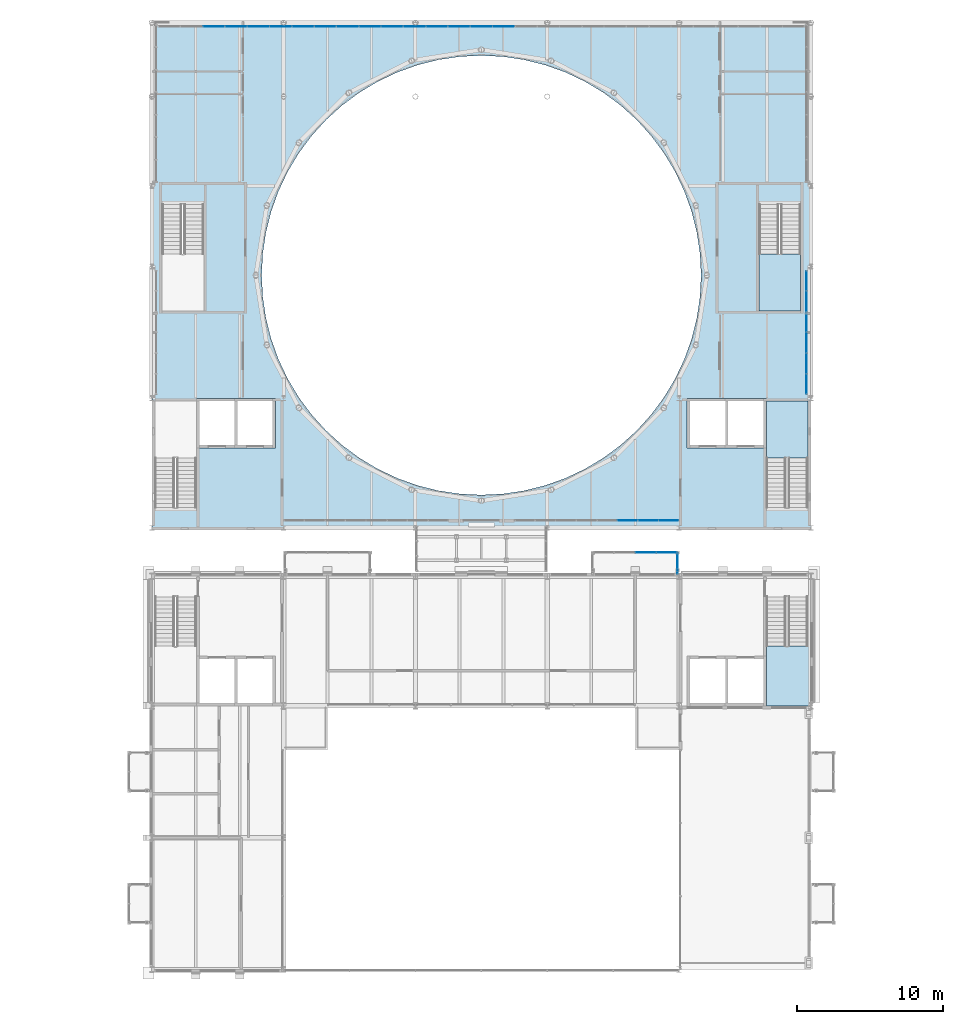
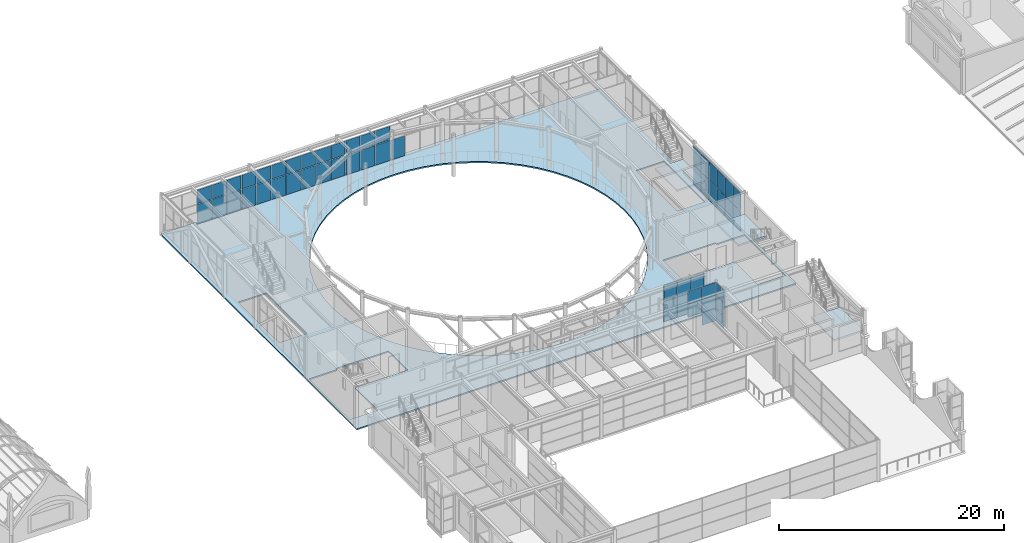
# One storey, part 62 of 111: 53 plates, 4 slabs, 8 elements without a shape of their own.
"""IFC4 building model written with IfcOpenShell, lengths in metres."""

from ifc_helpers import new_model, si_unit, direction, frame, origin, origin_2d, place, context, subcontext, project, spatial, polyline, rectangle, outline, extrude, material, layer, layer_set, type_object, element, aggregate, save


model = new_model("IFC4")

# Units and contexts
model_context = context("Model", 3, precision=1e-05, world=origin(), true_north=direction((0.0, 1.0)))
body_context = subcontext(model_context, "Body", "Model", "MODEL_VIEW")
ifc_project = project(units=[si_unit("LENGTHUNIT", "METRE"), si_unit("AREAUNIT", "SQUARE_METRE"), si_unit("VOLUMEUNIT", "CUBIC_METRE"), si_unit("PLANEANGLEUNIT", "RADIAN"), si_unit("MASSUNIT", "GRAM", prefix="KILO")], contexts=[model_context])

# Site, building, storey
site_placement = place(None, origin())
site = spatial("IfcSite", under=ifc_project, at=site_placement, CompositionType="ELEMENT")
building_placement = place(site_placement, origin())
building = spatial("IfcBuilding", under=site, at=building_placement, Name="Kallimachos Central Library", CompositionType="ELEMENT")
storey_placement = place(building_placement, frame((0.0, 0.0, 14.39990234375)))
storey = spatial("IfcBuildingStorey", under=building, at=storey_placement, Name="L03", CompositionType="ELEMENT", Elevation=14.39990234375)

# Slab
ifc_material_1 = material(Name="Composite slab C30/37 on steel deck", Category="concrete")
ifc_layer_1 = layer(ifc_material_1, 0.14990234375)
ifc_layer_set_1 = layer_set([ifc_layer_1], Name="Composite floor slab 150")
slab_type_1 = type_object("IfcSlabType", Name="Composite floor slab 150", PredefinedType="FLOOR", material=ifc_layer_set_1)
slab_1_placement = place(storey_placement, frame((0.0, 0.0, -0.14990234375)))
element("IfcSlab", 1, at=slab_1_placement, inside=storey, type_object=slab_type_1, Name="V1-SLB-L03-001", PredefinedType="FLOOR", context=body_context, shape_type="SweptSolid", body=[
    extrude(outline(polyline([(65.5, 121.800048828125), (110.5, 121.800048828125), (110.5, 87.0), (65.5, 87.0), (65.5, 121.800048828125)]), holes=[polyline([(65.699951171875, 95.800048828125), (65.699951171875, 88.553955078125), (68.550048828125, 88.553955078125), (68.550048828125, 92.60009765625), (73.949951171875, 92.60009765625), (73.949951171875, 96.0), (68.550048828125, 96.0), (68.550048828125, 95.800048828125), (65.699951171875, 95.800048828125)]), polyline([(107.449951171875, 95.800048828125), (107.449951171875, 96.0), (102.050048828125, 96.0), (102.050048828125, 92.60009765625), (107.449951171875, 92.60009765625), (107.449951171875, 88.553955078125), (110.300048828125, 88.553955078125), (110.300048828125, 95.800048828125), (107.449951171875, 95.800048828125)]), polyline([(102.7119140625, 101.4736328125), (102.927734375, 102.9296875), (103.0, 104.39990234375), (102.927734375, 105.870361328125), (102.7119140625, 107.326416015625), (102.35400390625, 108.75439453125), (101.858154296875, 110.140380859375), (101.228759765625, 111.470947265625), (100.471923828125, 112.733642578125), (99.59521484375, 113.916015625), (98.606689453125, 115.006591796875), (97.515869140625, 115.9951171875), (96.33349609375, 116.8720703125), (95.071044921875, 117.62890625), (93.740234375, 118.25830078125), (92.354248046875, 118.754150390625), (90.926513671875, 119.11181640625), (89.47021484375, 119.327880859375), (88.0, 119.39990234375), (86.52978515625, 119.327880859375), (85.073486328125, 119.11181640625), (83.645751953125, 118.754150390625), (82.259765625, 118.25830078125), (80.928955078125, 117.62890625), (79.66650390625, 116.8720703125), (78.484130859375, 115.9951171875), (77.393310546875, 115.006591796875), (76.40478515625, 113.916015625), (75.528076171875, 112.733642578125), (74.771240234375, 111.470947265625), (74.141845703125, 110.140380859375), (73.64599609375, 108.75439453125), (73.2880859375, 107.326416015625), (73.072265625, 105.870361328125), (73.0, 104.39990234375), (73.072265625, 102.9296875), (73.2880859375, 101.4736328125), (73.64599609375, 100.045654296875), (74.141845703125, 98.65966796875), (74.771240234375, 97.3291015625), (75.528076171875, 96.06640625), (76.40478515625, 94.884033203125), (77.393310546875, 93.79345703125), (78.484130859375, 92.8046875), (79.66650390625, 91.927978515625), (80.928955078125, 91.171142578125), (82.259765625, 90.541748046875), (83.645751953125, 90.0458984375), (85.073486328125, 89.688232421875), (86.52978515625, 89.47216796875), (88.0, 89.39990234375), (89.47021484375, 89.47216796875), (90.926513671875, 89.688232421875), (92.354248046875, 90.0458984375), (93.740234375, 90.541748046875), (95.071044921875, 91.171142578125), (96.33349609375, 91.927978515625), (97.515869140625, 92.8046875), (98.606689453125, 93.79345703125), (99.59521484375, 94.884033203125), (100.471923828125, 96.06640625), (101.228759765625, 97.3291015625), (101.858154296875, 98.65966796875), (102.35400390625, 100.045654296875), (102.7119140625, 101.4736328125)]), polyline([(66.199951171875, 101.97509765625), (69.050048828125, 101.97509765625), (69.050048828125, 109.220947265625), (66.199951171875, 109.220947265625), (66.199951171875, 101.97509765625)]), polyline([(106.949951171875, 101.97509765625), (109.800048828125, 101.97509765625), (109.800048828125, 109.220947265625), (106.949951171875, 109.220947265625), (106.949951171875, 101.97509765625)])]), origin(), (0.0, 0.0, 1.0), 0.14990234375),
])

# Curtain wall, plates
ifc_material_2 = material(Name="Anodised aluminium and laminated glass", Category="aluminium")
ifc_layer_2 = layer(ifc_material_2, 0.159912109375)
ifc_layer_set_2 = layer_set([ifc_layer_2], Name="Glass box curtain wall")
curtain_wall_type_1 = type_object("IfcCurtainWallType", Name="Glass box curtain wall", PredefinedType="NOTDEFINED", material=ifc_layer_set_2)
curtain_wall_1_placement = place(storey_placement, origin())
curtain_wall_1 = element("IfcCurtainWall", 2, at=curtain_wall_1_placement, inside=storey, type_object=curtain_wall_type_1, Name="Glass box curtain wall S L03", PredefinedType="NOTDEFINED")
ifc_material_3 = material(Name="Laminated glass", Category="glass")
ifc_layer_3 = layer(ifc_material_3, 0.028076171875)
ifc_layer_set_3 = layer_set([ifc_layer_3], Name="Laminated glass panel 28")
plate_type_1 = type_object("IfcPlateType", Name="Laminated glass panel 28", PredefinedType="CURTAIN_PANEL", material=ifc_layer_set_3)
plate_1_placement = place(storey_placement, frame((97.984375, 87.64990234375, 0.06005859375), z_axis=(0.0, 0.0, 1.0), x_axis=(1.0, 0.0, 0.0)))
plate_1 = element("IfcPlate", 3, at=plate_1_placement, type_object=plate_type_1, Name="CW22 panel 6.1", PredefinedType="CURTAIN_PANEL", context=body_context, shape_type="SweptSolid", body=[
    extrude(rectangle(XDim=1.34619140625, YDim=0.028076171875, at=origin_2d()), origin(), (0.0, 0.0, 1.0), 2.159912109375),
])
plate_2_placement = place(storey_placement, frame((97.984375, 87.64990234375, 2.280029296875), z_axis=(0.0, 0.0, 1.0), x_axis=(1.0, 0.0, 0.0)))
plate_2 = element("IfcPlate", 4, at=plate_2_placement, type_object=plate_type_1, Name="CW22 panel 6.2", PredefinedType="CURTAIN_PANEL", context=body_context, shape_type="SweptSolid", body=[
    extrude(rectangle(XDim=1.34619140625, YDim=0.028076171875, at=origin_2d()), origin(), (0.0, 0.0, 1.0), 1.7099609375),
])
plate_3_placement = place(storey_placement, frame((99.390625, 87.64990234375, 0.06005859375), z_axis=(0.0, 0.0, 1.0), x_axis=(1.0, 0.0, 0.0)))
plate_3 = element("IfcPlate", 5, at=plate_3_placement, type_object=plate_type_1, Name="CW22 panel 7.1", PredefinedType="CURTAIN_PANEL", context=body_context, shape_type="SweptSolid", body=[
    extrude(rectangle(XDim=1.34619140625, YDim=0.028076171875, at=origin_2d()), origin(), (0.0, 0.0, 1.0), 2.159912109375),
])
plate_4_placement = place(storey_placement, frame((99.390625, 87.64990234375, 2.280029296875), z_axis=(0.0, 0.0, 1.0), x_axis=(1.0, 0.0, 0.0)))
plate_4 = element("IfcPlate", 6, at=plate_4_placement, type_object=plate_type_1, Name="CW22 panel 7.2", PredefinedType="CURTAIN_PANEL", context=body_context, shape_type="SweptSolid", body=[
    extrude(rectangle(XDim=1.34619140625, YDim=0.028076171875, at=origin_2d()), origin(), (0.0, 0.0, 1.0), 1.7099609375),
])
plate_5_placement = place(storey_placement, frame((100.781982421875, 87.64990234375, 0.06005859375), z_axis=(0.0, 0.0, 1.0), x_axis=(1.0, 0.0, 0.0)))
plate_5 = element("IfcPlate", 7, at=plate_5_placement, type_object=plate_type_1, Name="CW22 panel 8.1", PredefinedType="CURTAIN_PANEL", context=body_context, shape_type="SweptSolid", body=[
    extrude(rectangle(XDim=1.316162109375, YDim=0.028076171875, at=origin_2d()), origin(), (0.0, 0.0, 1.0), 2.159912109375),
])
plate_6_placement = place(storey_placement, frame((100.781982421875, 87.64990234375, 2.280029296875), z_axis=(0.0, 0.0, 1.0), x_axis=(1.0, 0.0, 0.0)))
plate_6 = element("IfcPlate", 8, at=plate_6_placement, type_object=plate_type_1, Name="CW22 panel 8.2", PredefinedType="CURTAIN_PANEL", context=body_context, shape_type="SweptSolid", body=[
    extrude(rectangle(XDim=1.316162109375, YDim=0.028076171875, at=origin_2d()), origin(), (0.0, 0.0, 1.0), 1.7099609375),
])
aggregate(curtain_wall_1, [plate_1, plate_2, plate_3, plate_4, plate_5, plate_6])

curtain_wall_2_placement = place(storey_placement, origin())
curtain_wall_2 = element("IfcCurtainWall", 9, at=curtain_wall_2_placement, inside=storey, type_object=curtain_wall_type_1, Name="Glass box curtain wall E L03", PredefinedType="NOTDEFINED")
plate_7_placement = place(storey_placement, frame((110.199951171875, 96.973388671875, 0.06005859375), z_axis=(0.0, 0.0, 1.0), x_axis=(0.0, 1.0, 0.0)))
plate_7 = element("IfcPlate", 10, at=plate_7_placement, type_object=plate_type_1, Name="CW25 panel 1.1", PredefinedType="CURTAIN_PANEL", context=body_context, shape_type="SweptSolid", body=[
    extrude(rectangle(XDim=1.32666015625, YDim=0.028076171875, at=origin_2d()), origin(), (0.0, 0.0, 1.0), 2.159912109375),
])
plate_8_placement = place(storey_placement, frame((110.199951171875, 96.973388671875, 2.2802734375), z_axis=(0.0, 0.0, 1.0), x_axis=(0.0, 1.0, 0.0)))
plate_8 = element("IfcPlate", 11, at=plate_8_placement, type_object=plate_type_1, Name="CW25 panel 1.2", PredefinedType="CURTAIN_PANEL", context=body_context, shape_type="SweptSolid", body=[
    extrude(rectangle(XDim=1.32666015625, YDim=0.028076171875, at=origin_2d()), origin(), (0.0, 0.0, 1.0), 2.010009765625),
])
plate_9_placement = place(storey_placement, frame((110.199951171875, 98.375, 0.06005859375), z_axis=(0.0, 0.0, 1.0), x_axis=(0.0, 1.0, 0.0)))
plate_9 = element("IfcPlate", 12, at=plate_9_placement, type_object=plate_type_1, Name="CW25 panel 2.1", PredefinedType="CURTAIN_PANEL", context=body_context, shape_type="SweptSolid", body=[
    extrude(rectangle(XDim=1.356689453125, YDim=0.028076171875, at=origin_2d()), origin(), (0.0, 0.0, 1.0), 2.159912109375),
])
plate_10_placement = place(storey_placement, frame((110.199951171875, 98.375, 2.2802734375), z_axis=(0.0, 0.0, 1.0), x_axis=(0.0, 1.0, 0.0)))
plate_10 = element("IfcPlate", 13, at=plate_10_placement, type_object=plate_type_1, Name="CW25 panel 2.2", PredefinedType="CURTAIN_PANEL", context=body_context, shape_type="SweptSolid", body=[
    extrude(rectangle(XDim=1.356689453125, YDim=0.028076171875, at=origin_2d()), origin(), (0.0, 0.0, 1.0), 2.010009765625),
])
plate_11_placement = place(storey_placement, frame((110.199951171875, 99.791748046875, 0.06005859375), z_axis=(0.0, 0.0, 1.0), x_axis=(0.0, 1.0, 0.0)))
plate_11 = element("IfcPlate", 14, at=plate_11_placement, type_object=plate_type_1, Name="CW25 panel 3.1", PredefinedType="CURTAIN_PANEL", context=body_context, shape_type="SweptSolid", body=[
    extrude(rectangle(XDim=1.356689453125, YDim=0.028076171875, at=origin_2d()), origin(), (0.0, 0.0, 1.0), 2.159912109375),
])
plate_12_placement = place(storey_placement, frame((110.199951171875, 99.791748046875, 2.2802734375), z_axis=(0.0, 0.0, 1.0), x_axis=(0.0, 1.0, 0.0)))
plate_12 = element("IfcPlate", 15, at=plate_12_placement, type_object=plate_type_1, Name="CW25 panel 3.2", PredefinedType="CURTAIN_PANEL", context=body_context, shape_type="SweptSolid", body=[
    extrude(rectangle(XDim=1.356689453125, YDim=0.028076171875, at=origin_2d()), origin(), (0.0, 0.0, 1.0), 2.010009765625),
])
plate_13_placement = place(storey_placement, frame((110.199951171875, 101.208251953125, 0.06005859375), z_axis=(0.0, 0.0, 1.0), x_axis=(0.0, 1.0, 0.0)))
plate_13 = element("IfcPlate", 16, at=plate_13_placement, type_object=plate_type_1, Name="CW25 panel 4.1", PredefinedType="CURTAIN_PANEL", context=body_context, shape_type="SweptSolid", body=[
    extrude(rectangle(XDim=1.356689453125, YDim=0.028076171875, at=origin_2d()), origin(), (0.0, 0.0, 1.0), 2.159912109375),
])
plate_14_placement = place(storey_placement, frame((110.199951171875, 101.208251953125, 2.2802734375), z_axis=(0.0, 0.0, 1.0), x_axis=(0.0, 1.0, 0.0)))
plate_14 = element("IfcPlate", 17, at=plate_14_placement, type_object=plate_type_1, Name="CW25 panel 4.2", PredefinedType="CURTAIN_PANEL", context=body_context, shape_type="SweptSolid", body=[
    extrude(rectangle(XDim=1.356689453125, YDim=0.028076171875, at=origin_2d()), origin(), (0.0, 0.0, 1.0), 2.010009765625),
])
plate_15_placement = place(storey_placement, frame((110.199951171875, 102.625, 0.06005859375), z_axis=(0.0, 0.0, 1.0), x_axis=(0.0, 1.0, 0.0)))
plate_15 = element("IfcPlate", 18, at=plate_15_placement, type_object=plate_type_1, Name="CW25 panel 5.1", PredefinedType="CURTAIN_PANEL", context=body_context, shape_type="SweptSolid", body=[
    extrude(rectangle(XDim=1.356689453125, YDim=0.028076171875, at=origin_2d()), origin(), (0.0, 0.0, 1.0), 2.159912109375),
])
plate_16_placement = place(storey_placement, frame((110.199951171875, 102.625, 2.2802734375), z_axis=(0.0, 0.0, 1.0), x_axis=(0.0, 1.0, 0.0)))
plate_16 = element("IfcPlate", 19, at=plate_16_placement, type_object=plate_type_1, Name="CW25 panel 5.2", PredefinedType="CURTAIN_PANEL", context=body_context, shape_type="SweptSolid", body=[
    extrude(rectangle(XDim=1.356689453125, YDim=0.028076171875, at=origin_2d()), origin(), (0.0, 0.0, 1.0), 2.010009765625),
])
plate_17_placement = place(storey_placement, frame((110.199951171875, 104.026611328125, 0.06005859375), z_axis=(0.0, 0.0, 1.0), x_axis=(0.0, 1.0, 0.0)))
plate_17 = element("IfcPlate", 20, at=plate_17_placement, type_object=plate_type_1, Name="CW25 panel 6.1", PredefinedType="CURTAIN_PANEL", context=body_context, shape_type="SweptSolid", body=[
    extrude(rectangle(XDim=1.32666015625, YDim=0.028076171875, at=origin_2d()), origin(), (0.0, 0.0, 1.0), 2.159912109375),
])
plate_18_placement = place(storey_placement, frame((110.199951171875, 104.026611328125, 2.2802734375), z_axis=(0.0, 0.0, 1.0), x_axis=(0.0, 1.0, 0.0)))
plate_18 = element("IfcPlate", 21, at=plate_18_placement, type_object=plate_type_1, Name="CW25 panel 6.2", PredefinedType="CURTAIN_PANEL", context=body_context, shape_type="SweptSolid", body=[
    extrude(rectangle(XDim=1.32666015625, YDim=0.028076171875, at=origin_2d()), origin(), (0.0, 0.0, 1.0), 2.010009765625),
])
aggregate(curtain_wall_2, [plate_7, plate_8, plate_9, plate_10, plate_11, plate_12, plate_13, plate_14, plate_15, plate_16, plate_17, plate_18])

curtain_wall_3_placement = place(storey_placement, origin())
curtain_wall_3 = element("IfcCurtainWall", 22, at=curtain_wall_3_placement, inside=storey, type_object=curtain_wall_type_1, Name="Glass box curtain wall N L03", PredefinedType="NOTDEFINED")
plate_19_placement = place(storey_placement, frame((69.726806640625, 121.3798828125, 0.06005859375), z_axis=(0.0, 0.0, 1.0), x_axis=(1.0, 0.0, 0.0)))
plate_19 = element("IfcPlate", 23, at=plate_19_placement, type_object=plate_type_1, Name="CW27 panel 3.1", PredefinedType="CURTAIN_PANEL", context=body_context, shape_type="SweptSolid", body=[
    extrude(rectangle(XDim=1.462646484375, YDim=0.028076171875, at=origin_2d()), origin(), (0.0, 0.0, 1.0), 2.159912109375),
])
plate_20_placement = place(storey_placement, frame((69.726806640625, 121.3798828125, 2.2802734375), z_axis=(0.0, 0.0, 1.0), x_axis=(1.0, 0.0, 0.0)))
plate_20 = element("IfcPlate", 24, at=plate_20_placement, type_object=plate_type_1, Name="CW27 panel 3.2", PredefinedType="CURTAIN_PANEL", context=body_context, shape_type="SweptSolid", body=[
    extrude(rectangle(XDim=1.462646484375, YDim=0.028076171875, at=origin_2d()), origin(), (0.0, 0.0, 1.0), 1.510009765625),
])
plate_21_placement = place(storey_placement, frame((71.249755859375, 121.3798828125, 0.06005859375), z_axis=(0.0, 0.0, 1.0), x_axis=(1.0, 0.0, 0.0)))
plate_21 = element("IfcPlate", 25, at=plate_21_placement, type_object=plate_type_1, Name="CW27 panel 4.1", PredefinedType="CURTAIN_PANEL", context=body_context, shape_type="SweptSolid", body=[
    extrude(rectangle(XDim=1.462646484375, YDim=0.028076171875, at=origin_2d()), origin(), (0.0, 0.0, 1.0), 2.159912109375),
])
plate_22_placement = place(storey_placement, frame((71.249755859375, 121.3798828125, 2.2802734375), z_axis=(0.0, 0.0, 1.0), x_axis=(1.0, 0.0, 0.0)))
plate_22 = element("IfcPlate", 26, at=plate_22_placement, type_object=plate_type_1, Name="CW27 panel 4.2", PredefinedType="CURTAIN_PANEL", context=body_context, shape_type="SweptSolid", body=[
    extrude(rectangle(XDim=1.462646484375, YDim=0.028076171875, at=origin_2d()), origin(), (0.0, 0.0, 1.0), 1.510009765625),
])
plate_23_placement = place(storey_placement, frame((72.7724609375, 121.3798828125, 0.06005859375), z_axis=(0.0, 0.0, 1.0), x_axis=(1.0, 0.0, 0.0)))
plate_23 = element("IfcPlate", 27, at=plate_23_placement, type_object=plate_type_1, Name="CW27 panel 5.1", PredefinedType="CURTAIN_PANEL", context=body_context, shape_type="SweptSolid", body=[
    extrude(rectangle(XDim=1.462646484375, YDim=0.028076171875, at=origin_2d()), origin(), (0.0, 0.0, 1.0), 2.159912109375),
])
plate_24_placement = place(storey_placement, frame((72.7724609375, 121.3798828125, 2.2802734375), z_axis=(0.0, 0.0, 1.0), x_axis=(1.0, 0.0, 0.0)))
plate_24 = element("IfcPlate", 28, at=plate_24_placement, type_object=plate_type_1, Name="CW27 panel 5.2", PredefinedType="CURTAIN_PANEL", context=body_context, shape_type="SweptSolid", body=[
    extrude(rectangle(XDim=1.462646484375, YDim=0.028076171875, at=origin_2d()), origin(), (0.0, 0.0, 1.0), 1.510009765625),
])
plate_25_placement = place(storey_placement, frame((74.295166015625, 121.3798828125, 0.06005859375), z_axis=(0.0, 0.0, 1.0), x_axis=(1.0, 0.0, 0.0)))
plate_25 = element("IfcPlate", 29, at=plate_25_placement, type_object=plate_type_1, Name="CW27 panel 6.1", PredefinedType="CURTAIN_PANEL", context=body_context, shape_type="SweptSolid", body=[
    extrude(rectangle(XDim=1.462646484375, YDim=0.028076171875, at=origin_2d()), origin(), (0.0, 0.0, 1.0), 2.159912109375),
])
plate_26_placement = place(storey_placement, frame((74.295166015625, 121.3798828125, 2.2802734375), z_axis=(0.0, 0.0, 1.0), x_axis=(1.0, 0.0, 0.0)))
plate_26 = element("IfcPlate", 30, at=plate_26_placement, type_object=plate_type_1, Name="CW27 panel 6.2", PredefinedType="CURTAIN_PANEL", context=body_context, shape_type="SweptSolid", body=[
    extrude(rectangle(XDim=1.462646484375, YDim=0.028076171875, at=origin_2d()), origin(), (0.0, 0.0, 1.0), 1.510009765625),
])
plate_27_placement = place(storey_placement, frame((75.81787109375, 121.3798828125, 0.06005859375), z_axis=(0.0, 0.0, 1.0), x_axis=(1.0, 0.0, 0.0)))
plate_27 = element("IfcPlate", 31, at=plate_27_placement, type_object=plate_type_1, Name="CW27 panel 7.1", PredefinedType="CURTAIN_PANEL", context=body_context, shape_type="SweptSolid", body=[
    extrude(rectangle(XDim=1.462646484375, YDim=0.028076171875, at=origin_2d()), origin(), (0.0, 0.0, 1.0), 2.159912109375),
])
plate_28_placement = place(storey_placement, frame((75.81787109375, 121.3798828125, 2.2802734375), z_axis=(0.0, 0.0, 1.0), x_axis=(1.0, 0.0, 0.0)))
plate_28 = element("IfcPlate", 32, at=plate_28_placement, type_object=plate_type_1, Name="CW27 panel 7.2", PredefinedType="CURTAIN_PANEL", context=body_context, shape_type="SweptSolid", body=[
    extrude(rectangle(XDim=1.462646484375, YDim=0.028076171875, at=origin_2d()), origin(), (0.0, 0.0, 1.0), 1.510009765625),
])
plate_29_placement = place(storey_placement, frame((77.340576171875, 121.3798828125, 0.06005859375), z_axis=(0.0, 0.0, 1.0), x_axis=(1.0, 0.0, 0.0)))
plate_29 = element("IfcPlate", 33, at=plate_29_placement, type_object=plate_type_1, Name="CW27 panel 8.1", PredefinedType="CURTAIN_PANEL", context=body_context, shape_type="SweptSolid", body=[
    extrude(rectangle(XDim=1.462646484375, YDim=0.028076171875, at=origin_2d()), origin(), (0.0, 0.0, 1.0), 2.159912109375),
])
plate_30_placement = place(storey_placement, frame((77.340576171875, 121.3798828125, 2.2802734375), z_axis=(0.0, 0.0, 1.0), x_axis=(1.0, 0.0, 0.0)))
plate_30 = element("IfcPlate", 34, at=plate_30_placement, type_object=plate_type_1, Name="CW27 panel 8.2", PredefinedType="CURTAIN_PANEL", context=body_context, shape_type="SweptSolid", body=[
    extrude(rectangle(XDim=1.462646484375, YDim=0.028076171875, at=origin_2d()), origin(), (0.0, 0.0, 1.0), 1.510009765625),
])
plate_31_placement = place(storey_placement, frame((78.863525390625, 121.3798828125, 0.06005859375), z_axis=(0.0, 0.0, 1.0), x_axis=(1.0, 0.0, 0.0)))
plate_31 = element("IfcPlate", 35, at=plate_31_placement, type_object=plate_type_1, Name="CW27 panel 9.1", PredefinedType="CURTAIN_PANEL", context=body_context, shape_type="SweptSolid", body=[
    extrude(rectangle(XDim=1.462646484375, YDim=0.028076171875, at=origin_2d()), origin(), (0.0, 0.0, 1.0), 2.159912109375),
])
plate_32_placement = place(storey_placement, frame((78.863525390625, 121.3798828125, 2.2802734375), z_axis=(0.0, 0.0, 1.0), x_axis=(1.0, 0.0, 0.0)))
plate_32 = element("IfcPlate", 36, at=plate_32_placement, type_object=plate_type_1, Name="CW27 panel 9.2", PredefinedType="CURTAIN_PANEL", context=body_context, shape_type="SweptSolid", body=[
    extrude(rectangle(XDim=1.462646484375, YDim=0.028076171875, at=origin_2d()), origin(), (0.0, 0.0, 1.0), 1.510009765625),
])
plate_33_placement = place(storey_placement, frame((80.38623046875, 121.3798828125, 0.06005859375), z_axis=(0.0, 0.0, 1.0), x_axis=(1.0, 0.0, 0.0)))
plate_33 = element("IfcPlate", 37, at=plate_33_placement, type_object=plate_type_1, Name="CW27 panel 10.1", PredefinedType="CURTAIN_PANEL", context=body_context, shape_type="SweptSolid", body=[
    extrude(rectangle(XDim=1.462646484375, YDim=0.028076171875, at=origin_2d()), origin(), (0.0, 0.0, 1.0), 2.159912109375),
])
plate_34_placement = place(storey_placement, frame((80.38623046875, 121.3798828125, 2.2802734375), z_axis=(0.0, 0.0, 1.0), x_axis=(1.0, 0.0, 0.0)))
plate_34 = element("IfcPlate", 38, at=plate_34_placement, type_object=plate_type_1, Name="CW27 panel 10.2", PredefinedType="CURTAIN_PANEL", context=body_context, shape_type="SweptSolid", body=[
    extrude(rectangle(XDim=1.462646484375, YDim=0.028076171875, at=origin_2d()), origin(), (0.0, 0.0, 1.0), 1.510009765625),
])
plate_35_placement = place(storey_placement, frame((81.908935546875, 121.3798828125, 0.06005859375), z_axis=(0.0, 0.0, 1.0), x_axis=(1.0, 0.0, 0.0)))
plate_35 = element("IfcPlate", 39, at=plate_35_placement, type_object=plate_type_1, Name="CW27 panel 11.1", PredefinedType="CURTAIN_PANEL", context=body_context, shape_type="SweptSolid", body=[
    extrude(rectangle(XDim=1.462646484375, YDim=0.028076171875, at=origin_2d()), origin(), (0.0, 0.0, 1.0), 2.159912109375),
])
plate_36_placement = place(storey_placement, frame((81.908935546875, 121.3798828125, 2.2802734375), z_axis=(0.0, 0.0, 1.0), x_axis=(1.0, 0.0, 0.0)))
plate_36 = element("IfcPlate", 40, at=plate_36_placement, type_object=plate_type_1, Name="CW27 panel 11.2", PredefinedType="CURTAIN_PANEL", context=body_context, shape_type="SweptSolid", body=[
    extrude(rectangle(XDim=1.462646484375, YDim=0.028076171875, at=origin_2d()), origin(), (0.0, 0.0, 1.0), 1.510009765625),
])
plate_37_placement = place(storey_placement, frame((83.431640625, 121.3798828125, 0.06005859375), z_axis=(0.0, 0.0, 1.0), x_axis=(1.0, 0.0, 0.0)))
plate_37 = element("IfcPlate", 41, at=plate_37_placement, type_object=plate_type_1, Name="CW27 panel 12.1", PredefinedType="CURTAIN_PANEL", context=body_context, shape_type="SweptSolid", body=[
    extrude(rectangle(XDim=1.462646484375, YDim=0.028076171875, at=origin_2d()), origin(), (0.0, 0.0, 1.0), 2.159912109375),
])
plate_38_placement = place(storey_placement, frame((83.431640625, 121.3798828125, 2.2802734375), z_axis=(0.0, 0.0, 1.0), x_axis=(1.0, 0.0, 0.0)))
plate_38 = element("IfcPlate", 42, at=plate_38_placement, type_object=plate_type_1, Name="CW27 panel 12.2", PredefinedType="CURTAIN_PANEL", context=body_context, shape_type="SweptSolid", body=[
    extrude(rectangle(XDim=1.462646484375, YDim=0.028076171875, at=origin_2d()), origin(), (0.0, 0.0, 1.0), 1.510009765625),
])
plate_39_placement = place(storey_placement, frame((84.95458984375, 121.3798828125, 0.06005859375), z_axis=(0.0, 0.0, 1.0), x_axis=(1.0, 0.0, 0.0)))
plate_39 = element("IfcPlate", 43, at=plate_39_placement, type_object=plate_type_1, Name="CW27 panel 13.1", PredefinedType="CURTAIN_PANEL", context=body_context, shape_type="SweptSolid", body=[
    extrude(rectangle(XDim=1.462646484375, YDim=0.028076171875, at=origin_2d()), origin(), (0.0, 0.0, 1.0), 2.159912109375),
])
plate_40_placement = place(storey_placement, frame((84.95458984375, 121.3798828125, 2.2802734375), z_axis=(0.0, 0.0, 1.0), x_axis=(1.0, 0.0, 0.0)))
plate_40 = element("IfcPlate", 44, at=plate_40_placement, type_object=plate_type_1, Name="CW27 panel 13.2", PredefinedType="CURTAIN_PANEL", context=body_context, shape_type="SweptSolid", body=[
    extrude(rectangle(XDim=1.462646484375, YDim=0.028076171875, at=origin_2d()), origin(), (0.0, 0.0, 1.0), 1.510009765625),
])
plate_41_placement = place(storey_placement, frame((86.477294921875, 121.3798828125, 0.06005859375), z_axis=(0.0, 0.0, 1.0), x_axis=(1.0, 0.0, 0.0)))
plate_41 = element("IfcPlate", 45, at=plate_41_placement, type_object=plate_type_1, Name="CW27 panel 14.1", PredefinedType="CURTAIN_PANEL", context=body_context, shape_type="SweptSolid", body=[
    extrude(rectangle(XDim=1.462646484375, YDim=0.028076171875, at=origin_2d()), origin(), (0.0, 0.0, 1.0), 2.159912109375),
])
plate_42_placement = place(storey_placement, frame((86.477294921875, 121.3798828125, 2.2802734375), z_axis=(0.0, 0.0, 1.0), x_axis=(1.0, 0.0, 0.0)))
plate_42 = element("IfcPlate", 46, at=plate_42_placement, type_object=plate_type_1, Name="CW27 panel 14.2", PredefinedType="CURTAIN_PANEL", context=body_context, shape_type="SweptSolid", body=[
    extrude(rectangle(XDim=1.462646484375, YDim=0.028076171875, at=origin_2d()), origin(), (0.0, 0.0, 1.0), 1.510009765625),
])
plate_43_placement = place(storey_placement, frame((88.0, 121.3798828125, 0.06005859375), z_axis=(0.0, 0.0, 1.0), x_axis=(1.0, 0.0, 0.0)))
plate_43 = element("IfcPlate", 47, at=plate_43_placement, type_object=plate_type_1, Name="CW27 panel 15.1", PredefinedType="CURTAIN_PANEL", context=body_context, shape_type="SweptSolid", body=[
    extrude(rectangle(XDim=1.462646484375, YDim=0.028076171875, at=origin_2d()), origin(), (0.0, 0.0, 1.0), 2.159912109375),
])
plate_44_placement = place(storey_placement, frame((88.0, 121.3798828125, 2.2802734375), z_axis=(0.0, 0.0, 1.0), x_axis=(1.0, 0.0, 0.0)))
plate_44 = element("IfcPlate", 48, at=plate_44_placement, type_object=plate_type_1, Name="CW27 panel 15.2", PredefinedType="CURTAIN_PANEL", context=body_context, shape_type="SweptSolid", body=[
    extrude(rectangle(XDim=1.462646484375, YDim=0.028076171875, at=origin_2d()), origin(), (0.0, 0.0, 1.0), 1.510009765625),
])
plate_45_placement = place(storey_placement, frame((89.522705078125, 121.3798828125, 0.06005859375), z_axis=(0.0, 0.0, 1.0), x_axis=(1.0, 0.0, 0.0)))
plate_45 = element("IfcPlate", 49, at=plate_45_placement, type_object=plate_type_1, Name="CW27 panel 16.1", PredefinedType="CURTAIN_PANEL", context=body_context, shape_type="SweptSolid", body=[
    extrude(rectangle(XDim=1.462646484375, YDim=0.028076171875, at=origin_2d()), origin(), (0.0, 0.0, 1.0), 2.159912109375),
])
aggregate(curtain_wall_3, [plate_19, plate_20, plate_21, plate_22, plate_23, plate_24, plate_25, plate_26, plate_27, plate_28, plate_29, plate_30, plate_31, plate_32, plate_33, plate_34, plate_35, plate_36, plate_37, plate_38, plate_39, plate_40, plate_41, plate_42, plate_43, plate_44, plate_45])

# Stair, slab
ifc_material_4 = material(Name="Concrete C30/37", Category="concrete")
stair_type_1 = type_object("IfcStairType", Name="Escape stair", PredefinedType="HALF_TURN_STAIR", material=ifc_material_4)
stair_1_placement = place(storey_placement, origin())
stair_1 = element("IfcStair", 50, at=stair_1_placement, inside=storey, type_object=stair_type_1, Name="L03 stair ST10", PredefinedType="HALF_TURN_STAIR")
ifc_material_5 = material(Name="Concrete C30/37", Category="concrete")
ifc_layer_4 = layer(ifc_material_5, 0.199951171875)
ifc_layer_set_4 = layer_set([ifc_layer_4], Name="Stair landing")
slab_type_2 = type_object("IfcSlabType", Name="Stair landing", PredefinedType="LANDING", material=ifc_layer_set_4)
slab_2_placement = place(storey_placement, frame((0.0, 0.0, 2.050048828125)))
slab_2 = element("IfcSlab", 51, at=slab_2_placement, type_object=slab_type_2, Name="ST10 landing 1", PredefinedType="LANDING", context=body_context, shape_type="SweptSolid", body=[
    extrude(outline(polyline([(107.449951171875, 74.98388671875), (110.45361328125, 74.98388671875), (110.45361328125, 79.090087890625), (107.449951171875, 79.090087890625), (107.449951171875, 74.98388671875)])), origin(), (0.0, 0.0, 1.0), 0.199951171875),
])
aggregate(stair_1, [slab_2])

ifc_material_6 = material(Name="Steel S355J2", Category="steel")
stair_type_2 = type_object("IfcStairType", Name="Steel half-turn stair 1350", PredefinedType="HALF_TURN_STAIR", material=ifc_material_6)
stair_2_placement = place(storey_placement, origin())
stair_2 = element("IfcStair", 52, at=stair_2_placement, inside=storey, type_object=stair_type_2, Name="L03 stair ST2", PredefinedType="HALF_TURN_STAIR")
ifc_material_7 = material(Name="Concrete C30/37", Category="concrete")
ifc_layer_5 = layer(ifc_material_7, 0.199951171875)
ifc_layer_set_5 = layer_set([ifc_layer_5], Name="Stair landing slab 200")
slab_type_3 = type_object("IfcSlabType", Name="Stair landing slab 200", PredefinedType="LANDING", material=ifc_layer_set_5)
slab_3_placement = place(storey_placement, frame((0.0, 0.0, 2.050048828125)))
slab_3 = element("IfcSlab", 53, at=slab_3_placement, type_object=slab_type_3, Name="ST2 landing 1", PredefinedType="LANDING", context=body_context, shape_type="SweptSolid", body=[
    extrude(outline(polyline([(110.300048828125, 91.909912109375), (110.300048828125, 95.800048828125), (107.449951171875, 95.800048828125), (107.449951171875, 91.909912109375), (110.300048828125, 91.909912109375)])), origin(), (0.0, 0.0, 1.0), 0.199951171875),
])
aggregate(stair_2, [slab_3])

stair_3_placement = place(storey_placement, origin())
stair_3 = element("IfcStair", 54, at=stair_3_placement, inside=storey, type_object=stair_type_2, Name="L03 stair ST4", PredefinedType="HALF_TURN_STAIR")
slab_4_placement = place(storey_placement, frame((0.0, 0.0, 2.050048828125)))
slab_4 = element("IfcSlab", 55, at=slab_4_placement, type_object=slab_type_3, Name="ST4 landing 1", PredefinedType="LANDING", context=body_context, shape_type="SweptSolid", body=[
    extrude(outline(polyline([(106.949951171875, 105.864990234375), (106.949951171875, 101.97509765625), (109.800048828125, 101.97509765625), (109.800048828125, 105.864990234375), (106.949951171875, 105.864990234375)])), origin(), (0.0, 0.0, 1.0), 0.199951171875),
])
aggregate(stair_3, [slab_4])

# Curtain wall, plates
ifc_material_8 = material(Name="Aluminium and laminated glass", Category="aluminium")
curtain_wall_type_2 = type_object("IfcCurtainWallType", Name="Tribune bay glazed screen", PredefinedType="NOTDEFINED", material=ifc_material_8)
curtain_wall_4_placement = place(storey_placement, origin())
curtain_wall_4 = element("IfcCurtainWall", 56, at=curtain_wall_4_placement, inside=storey, type_object=curtain_wall_type_2, Name="Tribune bay N2 L03 front", PredefinedType="NOTDEFINED")
ifc_material_9 = material(Name="Laminated glass", Category="glass")
ifc_layer_6 = layer(ifc_material_9, 0.028076171875)
ifc_layer_set_6 = layer_set([ifc_layer_6], Name="Tribune bay glass panel")
plate_type_2 = type_object("IfcPlateType", Name="Tribune bay glass panel", PredefinedType="CURTAIN_PANEL", material=ifc_layer_set_6)
plate_46_placement = place(storey_placement, frame((99.22509765625, 85.466064453125, 1.46337890625), z_axis=(0.0, 0.0, 1.0), x_axis=(1.0, 0.0, 0.0)))
plate_46 = element("IfcPlate", 57, at=plate_46_placement, type_object=plate_type_2, Name="CW panel 3.2", PredefinedType="CURTAIN_PANEL", context=body_context, shape_type="SweptSolid", body=[
    extrude(rectangle(XDim=1.389892578125, YDim=0.028076171875, at=origin_2d()), origin(), (0.0, 0.0, 1.0), 1.373291015625),
])
plate_47_placement = place(storey_placement, frame((99.22509765625, 85.466064453125, 2.896728515625), z_axis=(0.0, 0.0, 1.0), x_axis=(1.0, 0.0, 0.0)))
plate_47 = element("IfcPlate", 58, at=plate_47_placement, type_object=plate_type_2, Name="CW panel 3.3", PredefinedType="CURTAIN_PANEL", context=body_context, shape_type="SweptSolid", body=[
    extrude(rectangle(XDim=1.389892578125, YDim=0.028076171875, at=origin_2d()), origin(), (0.0, 0.0, 1.0), 1.34326171875),
])
plate_48_placement = place(storey_placement, frame((100.659912109375, 85.466064453125, 0.06005859375), z_axis=(0.0, 0.0, 1.0), x_axis=(1.0, 0.0, 0.0)))
plate_48 = element("IfcPlate", 59, at=plate_48_placement, type_object=plate_type_2, Name="CW panel 4.1", PredefinedType="CURTAIN_PANEL", context=body_context, shape_type="SweptSolid", body=[
    extrude(rectangle(XDim=1.360107421875, YDim=0.028076171875, at=origin_2d()), origin(), (0.0, 0.0, 1.0), 1.34326171875),
])
plate_49_placement = place(storey_placement, frame((100.659912109375, 85.466064453125, 1.46337890625), z_axis=(0.0, 0.0, 1.0), x_axis=(1.0, 0.0, 0.0)))
plate_49 = element("IfcPlate", 60, at=plate_49_placement, type_object=plate_type_2, Name="CW panel 4.2", PredefinedType="CURTAIN_PANEL", context=body_context, shape_type="SweptSolid", body=[
    extrude(rectangle(XDim=1.360107421875, YDim=0.028076171875, at=origin_2d()), origin(), (0.0, 0.0, 1.0), 1.373291015625),
])
plate_50_placement = place(storey_placement, frame((100.659912109375, 85.466064453125, 2.896728515625), z_axis=(0.0, 0.0, 1.0), x_axis=(1.0, 0.0, 0.0)))
plate_50 = element("IfcPlate", 61, at=plate_50_placement, type_object=plate_type_2, Name="CW panel 4.3", PredefinedType="CURTAIN_PANEL", context=body_context, shape_type="SweptSolid", body=[
    extrude(rectangle(XDim=1.360107421875, YDim=0.028076171875, at=origin_2d()), origin(), (0.0, 0.0, 1.0), 1.34326171875),
])
aggregate(curtain_wall_4, [plate_46, plate_47, plate_48, plate_49, plate_50])

curtain_wall_5_placement = place(storey_placement, origin())
curtain_wall_5 = element("IfcCurtainWall", 62, at=curtain_wall_5_placement, inside=storey, type_object=curtain_wall_type_2, Name="Tribune bay N2 L03 return 2", PredefinedType="NOTDEFINED")
plate_51_placement = place(storey_placement, frame((101.39990234375, 84.716064453125, 0.06005859375), z_axis=(0.0, 0.0, 1.0), x_axis=(0.0, 1.0, 0.0)))
plate_51 = element("IfcPlate", 63, at=plate_51_placement, type_object=plate_type_2, Name="CW panel 1.1", PredefinedType="CURTAIN_PANEL", context=body_context, shape_type="SweptSolid", body=[
    extrude(rectangle(XDim=1.3798828125, YDim=0.028076171875, at=origin_2d()), origin(), (0.0, 0.0, 1.0), 1.34326171875),
])
plate_52_placement = place(storey_placement, frame((101.39990234375, 84.716064453125, 1.46337890625), z_axis=(0.0, 0.0, 1.0), x_axis=(0.0, 1.0, 0.0)))
plate_52 = element("IfcPlate", 64, at=plate_52_placement, type_object=plate_type_2, Name="CW panel 1.2", PredefinedType="CURTAIN_PANEL", context=body_context, shape_type="SweptSolid", body=[
    extrude(rectangle(XDim=1.3798828125, YDim=0.028076171875, at=origin_2d()), origin(), (0.0, 0.0, 1.0), 1.373291015625),
])
plate_53_placement = place(storey_placement, frame((101.39990234375, 84.716064453125, 2.896728515625), z_axis=(0.0, 0.0, 1.0), x_axis=(0.0, 1.0, 0.0)))
plate_53 = element("IfcPlate", 65, at=plate_53_placement, type_object=plate_type_2, Name="CW panel 1.3", PredefinedType="CURTAIN_PANEL", context=body_context, shape_type="SweptSolid", body=[
    extrude(rectangle(XDim=1.3798828125, YDim=0.028076171875, at=origin_2d()), origin(), (0.0, 0.0, 1.0), 1.34326171875),
])
aggregate(curtain_wall_5, [plate_51, plate_52, plate_53])

save(model, "model.ifc")
